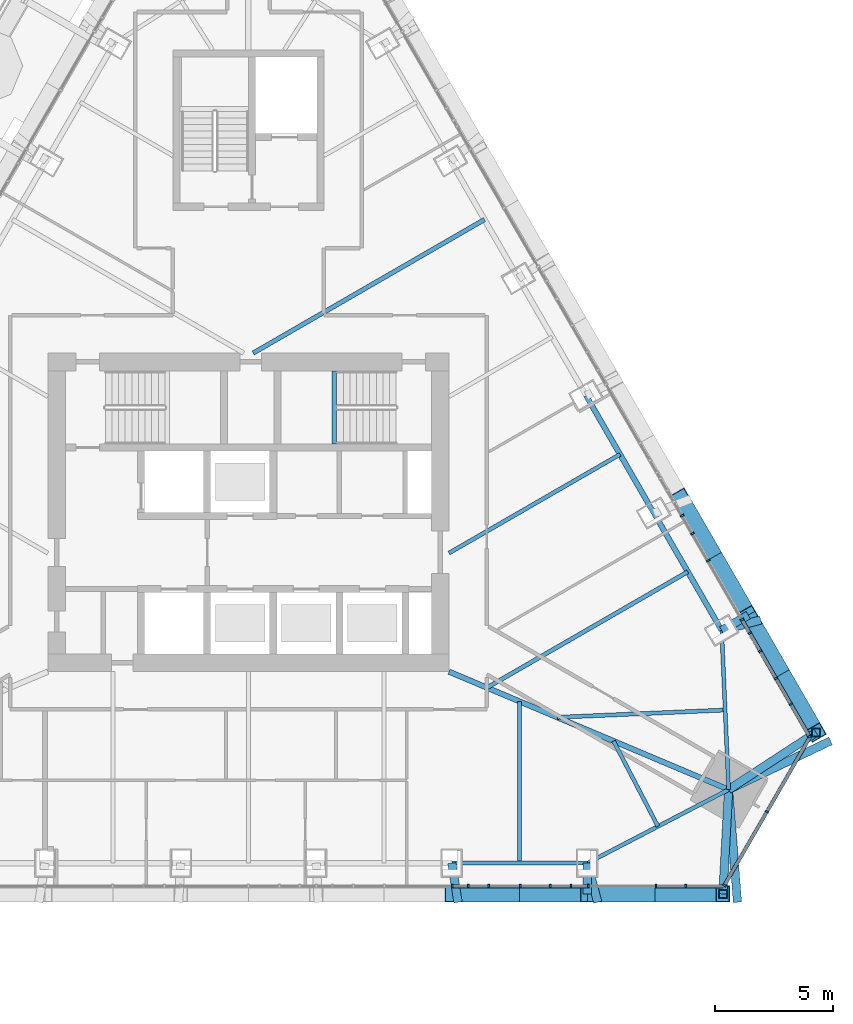
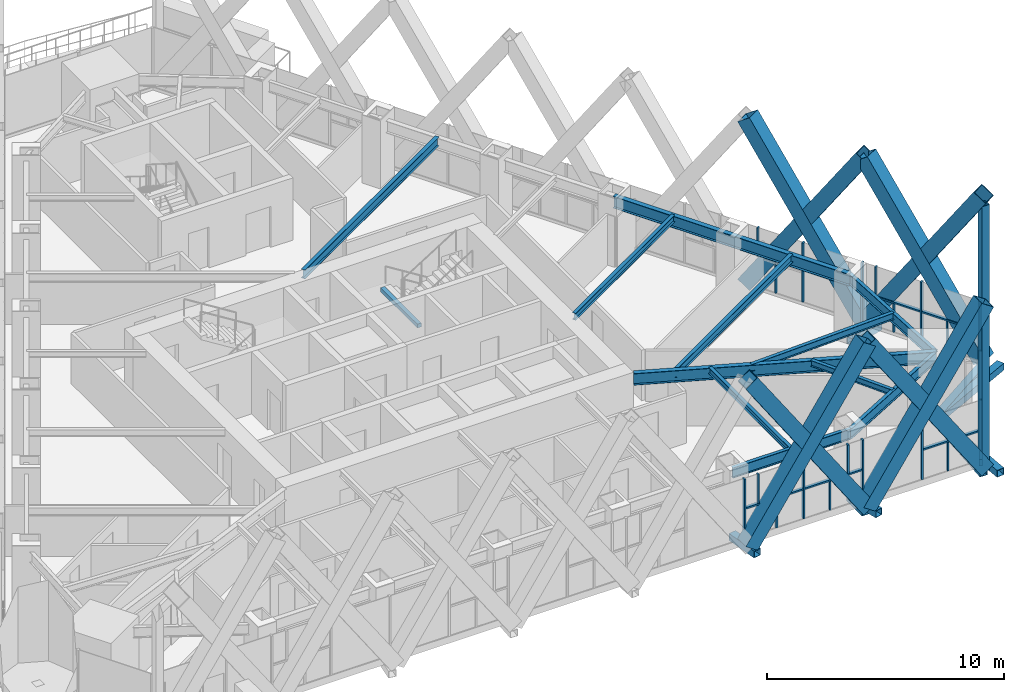
# One storey, part 5 of 24: 45 members, 12 beams, 3 elements without a shape of their own.
"""IFC4 building model written with IfcOpenShell, lengths in metres."""

from ifc_helpers import new_model, si_unit, direction, frame, origin, origin_2d, place, context, subcontext, project, spatial, rectangle, hollow_rectangle, i_section, extrude, material, layer, layer_set, material_profile, profile_set, type_object, element, aggregate, save


model = new_model("IFC4")

# Units and contexts
model_context = context("Model", 3, precision=1e-05, world=origin(), true_north=direction((0.0, 1.0)))
body_context = subcontext(model_context, "Body", "Model", "MODEL_VIEW")
ifc_project = project(units=[si_unit("LENGTHUNIT", "METRE"), si_unit("AREAUNIT", "SQUARE_METRE"), si_unit("VOLUMEUNIT", "CUBIC_METRE"), si_unit("PLANEANGLEUNIT", "RADIAN"), si_unit("MASSUNIT", "GRAM", prefix="KILO")], contexts=[model_context])

# Site, building, storey
site_placement = place(None, origin())
site = spatial("IfcSite", under=ifc_project, at=site_placement, CompositionType="ELEMENT")
building_placement = place(site_placement, origin())
building = spatial("IfcBuilding", under=site, at=building_placement, Name="Firuza Gate Tower and Library", CompositionType="ELEMENT")
storey_placement = place(building_placement, frame((0.0, 0.0, 323.10009765625)))
storey = spatial("IfcBuildingStorey", under=building, at=storey_placement, Name="L79", CompositionType="ELEMENT", Elevation=323.10009765625)

# Members
ifc_material_1 = material(Name="Steel S355", Category="steel")
ifc_material_profile_1 = material_profile(ifc_material_1, hollow_rectangle(XDim=0.699951171875, YDim=0.699951171875, WallThickness=0.030029296875, at=origin_2d()))
ifc_profile_set_1 = profile_set([ifc_material_profile_1], Name="Steel S355")
member_type_1 = type_object("IfcMemberType", Name="BU700x700x30 Lattice brace", PredefinedType="BRACE", material=ifc_profile_set_1)
for number, where, z_axis, x_axis, name in (
    (1, (83.615966796875, 58.8359375, 0.0), (0.559917465542, 0.0, 0.828548388316), (0.0, 1.0, 0.0), "Lattice brace S 21.6R"),
    (2, (89.360107421875, 58.8359375, 0.0), (-0.559917465542, 0.0, 0.828548388316), (0.0, -1.0, 0.0), "Lattice brace S 21.6L"),
    (3, (89.360107421875, 58.8359375, 0.0), (0.559901128123, 0.0, 0.828559428603), (0.0, 1.0, 0.0), "Lattice brace S 21.7R"),
    (4, (95.10400390625, 58.8359375, 0.0), (-0.559901128123, 0.0, 0.828559428603), (0.0, -1.0, 0.0), "Lattice brace S 21.7L"),
    (5, (99.05029296875, 65.67138671875, 0.0), (-0.279939531792, 0.484890585756, 0.828561994292), (-0.866034822164, -0.499983686533, 0.0), "Lattice brace E 21.1R"),
    (6, (96.178466796875, 70.645751953125, 0.0), (0.279939531792, -0.484890585756, 0.828561994292), (0.866034822164, 0.499983686533, 0.0), "Lattice brace E 21.1L"),
):
    element("IfcMember", number, at=place(storey_placement, frame(where, z_axis=z_axis, x_axis=x_axis)), inside=storey, type_object=member_type_1, Name=name, PredefinedType="BRACE", context=body_context, shape_type="SweptSolid", body=[
        extrude(hollow_rectangle(XDim=0.699951171875, YDim=0.699951171875, WallThickness=0.030029296875, at=origin_2d()), origin(), (0.0, 0.0, 1.0), 10.2587890625),
    ])
for number, where, z_axis, x_axis, name in (
    (7, (96.178466796875, 70.645751953125, 0.0), (-0.279958234284, 0.484905557785, 0.828546913027), (-0.866027043304, -0.499997160258, 0.0), "Lattice brace E 21.2R"),
    (8, (93.306396484375, 75.620361328125, 0.0), (0.279958234284, -0.484905557785, 0.828546913027), (0.866027043304, 0.499997160258, 0.0), "Lattice brace E 21.2L"),
):
    element("IfcMember", number, at=place(storey_placement, frame(where, z_axis=z_axis, x_axis=x_axis)), inside=storey, type_object=member_type_1, Name=name, PredefinedType="BRACE", context=body_context, shape_type="SweptSolid", body=[
        extrude(hollow_rectangle(XDim=0.699951171875, YDim=0.699951171875, WallThickness=0.030029296875, at=origin_2d()), origin(), (0.0, 0.0, 1.0), 10.259033203125),
    ])

# Curtain wall, members
ifc_material_2 = material(Name="Aluminium 6063-T6", Category="aluminium")
ifc_layer_1 = layer(ifc_material_2, 0.14990234375)
ifc_layer_set_1 = layer_set([ifc_layer_1], Name="Unitised curtain wall, residences")
curtain_wall_type_1 = type_object("IfcCurtainWallType", Name="Unitised curtain wall, residences", PredefinedType="NOTDEFINED", material=ifc_layer_set_1)
placement = place(storey_placement, origin())
curtain_wall_1 = element("IfcCurtainWall", 9, at=placement, inside=storey, type_object=curtain_wall_type_1, Name="CW3 L79 S face", PredefinedType="NOTDEFINED")
ifc_material_3 = material(Name="Aluminium 6063-T6", Category="aluminium")
ifc_material_profile_2 = material_profile(ifc_material_3, rectangle(XDim=0.14990234375, YDim=0.080078125, at=origin_2d()))
ifc_profile_set_2 = profile_set([ifc_material_profile_2], Name="Aluminium 6063-T6")
member_type_2 = type_object("IfcMemberType", Name="Curtain wall mullion 80x150", PredefinedType="MULLION", material=ifc_profile_set_2)
member_1_placement = place(storey_placement, frame((83.634521484375, 59.1611328125, 0.14990234375), z_axis=(0.0, 0.0, 1.0), x_axis=(0.0, 1.0, 0.0)))
member_1 = element("IfcMember", 10, at=member_1_placement, type_object=member_type_2, Name="Mullion", PredefinedType="MULLION", context=body_context, shape_type="SweptSolid", body=[
    extrude(rectangle(XDim=0.14990234375, YDim=0.080078125, at=origin_2d()), origin(), (0.0, 0.0, 1.0), 3.050048828125),
])
member_2_placement = place(storey_placement, frame((86.5126953125, 59.1611328125, 0.14990234375), z_axis=(0.0, 0.0, 1.0), x_axis=(0.0, 1.0, 0.0)))
member_2 = element("IfcMember", 11, at=member_2_placement, type_object=member_type_2, Name="Mullion", PredefinedType="MULLION", context=body_context, shape_type="SweptSolid", body=[
    extrude(rectangle(XDim=0.14990234375, YDim=0.080078125, at=origin_2d()), origin(), (0.0, 0.0, 1.0), 3.050048828125),
])
member_3_placement = place(storey_placement, frame((89.390869140625, 59.1611328125, 0.14990234375), z_axis=(0.0, 0.0, 1.0), x_axis=(0.0, 1.0, 0.0)))
member_3 = element("IfcMember", 12, at=member_3_placement, type_object=member_type_2, Name="Mullion", PredefinedType="MULLION", context=body_context, shape_type="SweptSolid", body=[
    extrude(rectangle(XDim=0.14990234375, YDim=0.080078125, at=origin_2d()), origin(), (0.0, 0.0, 1.0), 3.050048828125),
])
member_4_placement = place(storey_placement, frame((92.26904296875, 59.1611328125, 0.14990234375), z_axis=(0.0, 0.0, 1.0), x_axis=(0.0, 1.0, 0.0)))
member_4 = element("IfcMember", 13, at=member_4_placement, type_object=member_type_2, Name="Mullion", PredefinedType="MULLION", context=body_context, shape_type="SweptSolid", body=[
    extrude(rectangle(XDim=0.14990234375, YDim=0.080078125, at=origin_2d()), origin(), (0.0, 0.0, 1.0), 3.050048828125),
])
member_5_placement = place(storey_placement, frame((85.188232421875, 59.1611328125, 0.14990234375), z_axis=(0.0, 0.0, 1.0), x_axis=(0.0, 1.0, 0.0)))
member_5 = element("IfcMember", 14, at=member_5_placement, type_object=member_type_2, Name="Mullion", PredefinedType="MULLION", context=body_context, shape_type="SweptSolid", body=[
    extrude(rectangle(XDim=0.14990234375, YDim=0.080078125, at=origin_2d()), origin(), (0.0, 0.0, 1.0), 1.485107421875),
])
member_6_placement = place(storey_placement, frame((84.3076171875, 59.1611328125, 1.71484375), z_axis=(0.0, 0.0, 1.0), x_axis=(0.0, 1.0, 0.0)))
member_6 = element("IfcMember", 15, at=member_6_placement, type_object=member_type_2, Name="Mullion", PredefinedType="MULLION", context=body_context, shape_type="SweptSolid", body=[
    extrude(rectangle(XDim=0.14990234375, YDim=0.080078125, at=origin_2d()), origin(), (0.0, 0.0, 1.0), 1.485107421875),
])
member_7_placement = place(storey_placement, frame((87.78759765625, 59.1611328125, 0.14990234375), z_axis=(0.0, 0.0, 1.0), x_axis=(0.0, 1.0, 0.0)))
member_7 = element("IfcMember", 16, at=member_7_placement, type_object=member_type_2, Name="Mullion", PredefinedType="MULLION", context=body_context, shape_type="SweptSolid", body=[
    extrude(rectangle(XDim=0.14990234375, YDim=0.080078125, at=origin_2d()), origin(), (0.0, 0.0, 1.0), 1.485107421875),
])
member_8_placement = place(storey_placement, frame((88.66845703125, 59.1611328125, 1.71484375), z_axis=(0.0, 0.0, 1.0), x_axis=(0.0, 1.0, 0.0)))
member_8 = element("IfcMember", 17, at=member_8_placement, type_object=member_type_2, Name="Mullion", PredefinedType="MULLION", context=body_context, shape_type="SweptSolid", body=[
    extrude(rectangle(XDim=0.14990234375, YDim=0.080078125, at=origin_2d()), origin(), (0.0, 0.0, 1.0), 1.485107421875),
])
member_9_placement = place(storey_placement, frame((93.53173828125, 59.1611328125, 0.14990234375), z_axis=(0.0, 0.0, 1.0), x_axis=(0.0, 1.0, 0.0)))
member_9 = element("IfcMember", 18, at=member_9_placement, type_object=member_type_2, Name="Mullion", PredefinedType="MULLION", context=body_context, shape_type="SweptSolid", body=[
    extrude(rectangle(XDim=0.14990234375, YDim=0.080078125, at=origin_2d()), origin(), (0.0, 0.0, 1.0), 1.485107421875),
])

ifc_material_4 = material(Name="Aluminium 6063-T6", Category="aluminium")
ifc_layer_2 = layer(ifc_material_4, 0.14990234375)
ifc_layer_set_2 = layer_set([ifc_layer_2], Name="Corner curtain wall, chamfers")
curtain_wall_type_2 = type_object("IfcCurtainWallType", Name="Corner curtain wall, chamfers", PredefinedType="NOTDEFINED", material=ifc_layer_set_2)
curtain_wall_2 = element("IfcCurtainWall", 19, at=placement, inside=storey, type_object=curtain_wall_type_2, Name="CW4 L79 SE corner", PredefinedType="NOTDEFINED")
member_10_placement = place(storey_placement, frame((95.167236328125, 59.195556640625, 0.14990234375), z_axis=(0.0, 0.0, 1.0), x_axis=(-0.866025403784, 0.5, 0.0)))
member_10 = element("IfcMember", 20, at=member_10_placement, type_object=member_type_2, Name="Mullion", PredefinedType="MULLION", context=body_context, shape_type="SweptSolid", body=[
    extrude(rectangle(XDim=0.14990234375, YDim=0.080078125, at=origin_2d()), origin(), (0.0, 0.0, 1.0), 3.050048828125),
])
member_11_placement = place(storey_placement, frame((96.968994140625, 62.316162109375, 0.14990234375), z_axis=(0.0, 0.0, 1.0), x_axis=(-0.866025403784, 0.5, 0.0)))
member_11 = element("IfcMember", 21, at=member_11_placement, type_object=member_type_2, Name="Mullion", PredefinedType="MULLION", context=body_context, shape_type="SweptSolid", body=[
    extrude(rectangle(XDim=0.14990234375, YDim=0.080078125, at=origin_2d()), origin(), (0.0, 0.0, 1.0), 3.050048828125),
])

curtain_wall_3 = element("IfcCurtainWall", 22, at=placement, inside=storey, type_object=curtain_wall_type_1, Name="CW3 L79 E face", PredefinedType="NOTDEFINED")
member_12_placement = place(storey_placement, frame((98.7705078125, 65.506103515625, 0.14990234375), z_axis=(0.0, 0.0, 1.0), x_axis=(-0.866025403784, -0.5, 0.0)))
member_12 = element("IfcMember", 23, at=member_12_placement, type_object=member_type_2, Name="Mullion", PredefinedType="MULLION", context=body_context, shape_type="SweptSolid", body=[
    extrude(rectangle(XDim=0.14990234375, YDim=0.080078125, at=origin_2d()), origin(), (0.0, 0.0, 1.0), 3.050048828125),
])
member_13_placement = place(storey_placement, frame((97.3515625, 67.964111328125, 0.14990234375), z_axis=(0.0, 0.0, 1.0), x_axis=(-0.866025403784, -0.5, 0.0)))
member_13 = element("IfcMember", 24, at=member_13_placement, type_object=member_type_2, Name="Mullion", PredefinedType="MULLION", context=body_context, shape_type="SweptSolid", body=[
    extrude(rectangle(XDim=0.14990234375, YDim=0.080078125, at=origin_2d()), origin(), (0.0, 0.0, 1.0), 3.050048828125),
])
member_14_placement = place(storey_placement, frame((95.912353515625, 70.45654296875, 0.14990234375), z_axis=(0.0, 0.0, 1.0), x_axis=(-0.866025403784, -0.5, 0.0)))
member_14 = element("IfcMember", 25, at=member_14_placement, type_object=member_type_2, Name="Mullion", PredefinedType="MULLION", context=body_context, shape_type="SweptSolid", body=[
    extrude(rectangle(XDim=0.14990234375, YDim=0.080078125, at=origin_2d()), origin(), (0.0, 0.0, 1.0), 3.050048828125),
])
member_15_placement = place(storey_placement, frame((94.473388671875, 72.94921875, 0.14990234375), z_axis=(0.0, 0.0, 1.0), x_axis=(-0.866025403784, -0.5, 0.0)))
member_15 = element("IfcMember", 26, at=member_15_placement, type_object=member_type_2, Name="Mullion", PredefinedType="MULLION", context=body_context, shape_type="SweptSolid", body=[
    extrude(rectangle(XDim=0.14990234375, YDim=0.080078125, at=origin_2d()), origin(), (0.0, 0.0, 1.0), 3.050048828125),
])
member_16_placement = place(storey_placement, frame((97.98291015625, 66.87060546875, 0.14990234375), z_axis=(0.0, 0.0, 1.0), x_axis=(-0.866025403784, -0.5, 0.0)))
member_16 = element("IfcMember", 27, at=member_16_placement, type_object=member_type_2, Name="Mullion", PredefinedType="MULLION", context=body_context, shape_type="SweptSolid", body=[
    extrude(rectangle(XDim=0.14990234375, YDim=0.080078125, at=origin_2d()), origin(), (0.0, 0.0, 1.0), 1.485107421875),
])
member_17_placement = place(storey_placement, frame((96.68310546875, 69.121826171875, 0.14990234375), z_axis=(0.0, 0.0, 1.0), x_axis=(-0.866025403784, -0.5, 0.0)))
member_17 = element("IfcMember", 28, at=member_17_placement, type_object=member_type_2, Name="Mullion", PredefinedType="MULLION", context=body_context, shape_type="SweptSolid", body=[
    extrude(rectangle(XDim=0.14990234375, YDim=0.080078125, at=origin_2d()), origin(), (0.0, 0.0, 1.0), 1.485107421875),
])
member_18_placement = place(storey_placement, frame((96.24267578125, 69.884521484375, 1.71484375), z_axis=(0.0, 0.0, 1.0), x_axis=(-0.866025403784, -0.5, 0.0)))
member_18 = element("IfcMember", 29, at=member_18_placement, type_object=member_type_2, Name="Mullion", PredefinedType="MULLION", context=body_context, shape_type="SweptSolid", body=[
    extrude(rectangle(XDim=0.14990234375, YDim=0.080078125, at=origin_2d()), origin(), (0.0, 0.0, 1.0), 1.485107421875),
])
member_19_placement = place(storey_placement, frame((93.81103515625, 74.09619140625, 0.14990234375), z_axis=(0.0, 0.0, 1.0), x_axis=(-0.866025403784, -0.5, 0.0)))
member_19 = element("IfcMember", 30, at=member_19_placement, type_object=member_type_2, Name="Mullion", PredefinedType="MULLION", context=body_context, shape_type="SweptSolid", body=[
    extrude(rectangle(XDim=0.14990234375, YDim=0.080078125, at=origin_2d()), origin(), (0.0, 0.0, 1.0), 1.485107421875),
])
member_20_placement = place(storey_placement, frame((93.37060546875, 74.85888671875, 1.71484375), z_axis=(0.0, 0.0, 1.0), x_axis=(-0.866025403784, -0.5, 0.0)))
member_20 = element("IfcMember", 31, at=member_20_placement, type_object=member_type_2, Name="Mullion", PredefinedType="MULLION", context=body_context, shape_type="SweptSolid", body=[
    extrude(rectangle(XDim=0.14990234375, YDim=0.080078125, at=origin_2d()), origin(), (0.0, 0.0, 1.0), 1.485107421875),
])

# Member
ifc_material_5 = material(Name="Aluminium 6063-T6", Category="aluminium")
ifc_material_profile_3 = material_profile(ifc_material_5, rectangle(XDim=0.14990234375, YDim=0.35009765625, at=origin_2d()))
ifc_profile_set_3 = profile_set([ifc_material_profile_3], Name="Aluminium 6063-T6")
member_type_3 = type_object("IfcMemberType", Name="Curtain wall transom 350x150", PredefinedType="USERDEFINED", material=ifc_profile_set_3)
member_21_placement = place(storey_placement, frame((95.147216796875, 59.1611328125, -0.025146484375), z_axis=(0.500005719219, 0.866022101766, 0.0), x_axis=(-0.866022101766, 0.500005719219, 0.0)))
member_21 = element("IfcMember", 32, at=member_21_placement, type_object=member_type_3, Name="Transom", ObjectType="TRANSOM", PredefinedType="USERDEFINED", context=body_context, shape_type="SweptSolid", body=[
    extrude(rectangle(XDim=0.14990234375, YDim=0.35009765625, at=origin_2d()), origin(), (0.0, 0.0, 1.0), 7.28662109375),
])

aggregate(curtain_wall_2, [member_10, member_11, member_21])

ifc_material_6 = material(Name="Aluminium 6063-T6", Category="aluminium")
ifc_material_profile_4 = material_profile(ifc_material_6, rectangle(XDim=0.14990234375, YDim=0.080078125, at=origin_2d()))
ifc_profile_set_4 = profile_set([ifc_material_profile_4], Name="Aluminium 6063-T6")
member_type_4 = type_object("IfcMemberType", Name="Curtain wall transom 80x150", PredefinedType="USERDEFINED", material=ifc_profile_set_4)
member_22_placement = place(storey_placement, frame((83.674560546875, 59.1611328125, 1.6748046875), z_axis=(1.0, 0.0, 0.0), x_axis=(0.0, 1.0, 0.0)))
member_22 = element("IfcMember", 33, at=member_22_placement, type_object=member_type_4, Name="Transom", ObjectType="TRANSOM", PredefinedType="USERDEFINED", context=body_context, shape_type="SweptSolid", body=[
    extrude(rectangle(XDim=0.14990234375, YDim=0.080078125, at=origin_2d()), origin(), (0.0, 0.0, 1.0), 2.798095703125),
])

member_23_placement = place(storey_placement, frame((86.552734375, 59.1611328125, 1.6748046875), z_axis=(1.0, 0.0, 0.0), x_axis=(0.0, 1.0, 0.0)))
member_23 = element("IfcMember", 34, at=member_23_placement, type_object=member_type_4, Name="Transom", ObjectType="TRANSOM", PredefinedType="USERDEFINED", context=body_context, shape_type="SweptSolid", body=[
    extrude(rectangle(XDim=0.14990234375, YDim=0.080078125, at=origin_2d()), origin(), (0.0, 0.0, 1.0), 2.798095703125),
])

member_24_placement = place(storey_placement, frame((92.30908203125, 59.1611328125, 1.6748046875), z_axis=(1.0, 0.0, 0.0), x_axis=(0.0, 1.0, 0.0)))
member_24 = element("IfcMember", 35, at=member_24_placement, type_object=member_type_4, Name="Transom", ObjectType="TRANSOM", PredefinedType="USERDEFINED", context=body_context, shape_type="SweptSolid", body=[
    extrude(rectangle(XDim=0.14990234375, YDim=0.080078125, at=origin_2d()), origin(), (0.0, 0.0, 1.0), 2.79833984375),
])

aggregate(curtain_wall_1, [member_1, member_2, member_3, member_4, member_5, member_6, member_22, member_7, member_8, member_23, member_9, member_24])

member_25_placement = place(storey_placement, frame((98.7705078125, 65.506103515625, 1.6748046875), z_axis=(-0.499949037577, 0.866054824954, 0.0), x_axis=(-0.866054824954, -0.499949037577, 0.0)))
member_25 = element("IfcMember", 36, at=member_25_placement, type_object=member_type_4, Name="Transom", ObjectType="TRANSOM", PredefinedType="USERDEFINED", context=body_context, shape_type="SweptSolid", body=[
    extrude(rectangle(XDim=0.14990234375, YDim=0.080078125, at=origin_2d()), origin(), (0.0, 0.0, 1.0), 2.798095703125),
])

member_26_placement = place(storey_placement, frame((97.33154296875, 67.99853515625, 1.6748046875), z_axis=(-0.500014476097, 0.866017045845, 0.0), x_axis=(-0.866017045845, -0.500014476097, 0.0)))
member_26 = element("IfcMember", 37, at=member_26_placement, type_object=member_type_4, Name="Transom", ObjectType="TRANSOM", PredefinedType="USERDEFINED", context=body_context, shape_type="SweptSolid", body=[
    extrude(rectangle(XDim=0.14990234375, YDim=0.080078125, at=origin_2d()), origin(), (0.0, 0.0, 1.0), 2.79833984375),
])

aggregate(curtain_wall_3, [member_12, member_13, member_14, member_15, member_16, member_25, member_17, member_18, member_26, member_19, member_20])

# Members
ifc_material_7 = material(Name="Steel S355", Category="steel")
ifc_material_profile_5 = material_profile(ifc_material_7, hollow_rectangle(XDim=0.355712890625, YDim=0.355712890625, WallThickness=0.014892578125, at=origin_2d()))
ifc_profile_set_5 = profile_set([ifc_material_profile_5], Name="Steel S355")
member_type_5 = type_object("IfcMemberType", Name="HSS356x356x16 Lattice corner stile", PredefinedType="BRACE", material=ifc_profile_set_5)
for number, where, z_axis, x_axis, name in (
    (38, (95.10400390625, 58.8359375, -0.14013671875), (0.0, 0.0, 1.0), (1.0, 0.0, 0.0), "Lattice corner stile S 21.B"),
    (39, (99.05029296875, 65.67138671875, -0.14013671875), (0.0, 0.0, 1.0), (1.0, 0.0, 0.0), "Lattice corner stile E 21.A"),
):
    element("IfcMember", number, at=place(storey_placement, frame(where, z_axis=z_axis, x_axis=x_axis)), inside=storey, type_object=member_type_5, Name=name, PredefinedType="BRACE", context=body_context, shape_type="SweptSolid", body=[
        extrude(hollow_rectangle(XDim=0.355712890625, YDim=0.355712890625, WallThickness=0.014892578125, at=origin_2d()), origin(), (0.0, 0.0, 1.0), 8.14013671875),
    ])
ifc_material_8 = material(Name="Steel S355", Category="steel")
ifc_material_profile_6 = material_profile(ifc_material_8, hollow_rectangle(XDim=0.355712890625, YDim=0.355712890625, WallThickness=0.014892578125, at=origin_2d()))
ifc_profile_set_6 = profile_set([ifc_material_profile_6], Name="Steel S355")
member_type_6 = type_object("IfcMemberType", Name="HSS356x356x16 Lattice node tie", PredefinedType="BRACE", material=ifc_profile_set_6)
member_27_placement = place(storey_placement, frame((95.052490234375, 69.995849609375, -0.320068359375), z_axis=(0.965392491391, 0.260801337355, 0.0), x_axis=(-0.260801337355, 0.965392491391, 0.0)))
element("IfcMember", 40, at=member_27_placement, inside=storey, type_object=member_type_6, Name="Lattice node tie E L79 573", PredefinedType="BRACE", context=body_context, shape_type="SweptSolid", body=[
    extrude(hollow_rectangle(XDim=0.355712890625, YDim=0.355712890625, WallThickness=0.014892578125, at=origin_2d()), origin(), (0.0, 0.0, 1.0), 1.713134765625),
])
member_28_placement = place(storey_placement, frame((95.052490234375, 69.995849609375, -0.320068359375), z_axis=(0.866085525409, 0.49989585183, 0.0), x_axis=(-0.49989585183, 0.866085525409, 0.0)))
element("IfcMember", 41, at=member_28_placement, inside=storey, type_object=member_type_6, Name="Lattice node tie E L79 574", PredefinedType="BRACE", context=body_context, shape_type="SweptSolid", body=[
    extrude(hollow_rectangle(XDim=0.355712890625, YDim=0.355712890625, WallThickness=0.014892578125, at=origin_2d()), origin(), (0.0, 0.0, 1.0), 1.300048828125),
])
member_29_placement = place(storey_placement, frame((95.34521484375, 63.253662109375, -0.320068359375), z_axis=(0.902515271089, 0.430657851956, 0.0), x_axis=(-0.430657851956, 0.902515271089, 0.0)))
element("IfcMember", 42, at=member_29_placement, inside=storey, type_object=member_type_6, Name="Lattice node tie E L79 575", PredefinedType="BRACE", context=body_context, shape_type="SweptSolid", body=[
    extrude(hollow_rectangle(XDim=0.355712890625, YDim=0.355712890625, WallThickness=0.014892578125, at=origin_2d()), origin(), (0.0, 0.0, 1.0), 4.7880859375),
])
member_30_placement = place(storey_placement, frame((95.34521484375, 63.253662109375, -0.320068359375), z_axis=(0.837468949855, 0.546484911071, 0.0), x_axis=(-0.546484911071, 0.837468949855, 0.0)))
element("IfcMember", 43, at=member_30_placement, inside=storey, type_object=member_type_6, Name="Lattice node tie E L79 576", PredefinedType="BRACE", context=body_context, shape_type="SweptSolid", body=[
    extrude(hollow_rectangle(XDim=0.355712890625, YDim=0.355712890625, WallThickness=0.014892578125, at=origin_2d()), origin(), (0.0, 0.0, 1.0), 4.424072265625),
])
member_31_placement = place(storey_placement, frame((83.615966796875, 60.135986328125, -0.320068359375), z_axis=(0.157428167931, -0.98753044102, 0.0), x_axis=(0.98753044102, 0.157428167931, 0.0)))
element("IfcMember", 44, at=member_31_placement, inside=storey, type_object=member_type_6, Name="Lattice node tie S L79 584", PredefinedType="BRACE", context=body_context, shape_type="SweptSolid", body=[
    extrude(hollow_rectangle(XDim=0.355712890625, YDim=0.355712890625, WallThickness=0.014892578125, at=origin_2d()), origin(), (0.0, 0.0, 1.0), 1.676513671875),
])
member_32_placement = place(storey_placement, frame((89.360107421875, 60.135986328125, -0.320068359375), z_axis=(0.25682869904, -0.966456941281, 0.0), x_axis=(0.966456941281, 0.25682869904, 0.0)))
element("IfcMember", 45, at=member_32_placement, inside=storey, type_object=member_type_6, Name="Lattice node tie S L79 585", PredefinedType="BRACE", context=body_context, shape_type="SweptSolid", body=[
    extrude(hollow_rectangle(XDim=0.355712890625, YDim=0.355712890625, WallThickness=0.014892578125, at=origin_2d()), origin(), (0.0, 0.0, 1.0), 1.712890625),
])
member_33_placement = place(storey_placement, frame((89.360107421875, 60.135986328125, -0.320068359375), z_axis=(0.0, -1.0, 0.0), x_axis=(1.0, 0.0, 0.0)))
element("IfcMember", 46, at=member_33_placement, inside=storey, type_object=member_type_6, Name="Lattice node tie S L79 586", PredefinedType="BRACE", context=body_context, shape_type="SweptSolid", body=[
    extrude(hollow_rectangle(XDim=0.355712890625, YDim=0.355712890625, WallThickness=0.014892578125, at=origin_2d()), origin(), (0.0, 0.0, 1.0), 1.300048828125),
])
member_34_placement = place(storey_placement, frame((95.34521484375, 63.253662109375, -0.320068359375), z_axis=(0.0782717362, -0.996932061533, 0.0), x_axis=(0.996932061533, 0.0782717362, 0.0)))
element("IfcMember", 47, at=member_34_placement, inside=storey, type_object=member_type_6, Name="Lattice node tie S L79 587", PredefinedType="BRACE", context=body_context, shape_type="SweptSolid", body=[
    extrude(hollow_rectangle(XDim=0.355712890625, YDim=0.355712890625, WallThickness=0.014892578125, at=origin_2d()), origin(), (0.0, 0.0, 1.0), 4.787841796875),
])
member_35_placement = place(storey_placement, frame((95.34521484375, 63.253662109375, -0.320068359375), z_axis=(-0.054519511079, -0.998512705433, 0.0), x_axis=(0.998512705433, -0.054519511079, 0.0)))
element("IfcMember", 48, at=member_35_placement, inside=storey, type_object=member_type_6, Name="Lattice node tie S L79 588", PredefinedType="BRACE", context=body_context, shape_type="SweptSolid", body=[
    extrude(hollow_rectangle(XDim=0.355712890625, YDim=0.355712890625, WallThickness=0.014892578125, at=origin_2d()), origin(), (0.0, 0.0, 1.0), 4.42431640625),
])

# Beams
ifc_material_9 = material(Name="Concrete C35/45", Category="concrete")
ifc_material_profile_7 = material_profile(ifc_material_9, rectangle(XDim=0.199951171875, YDim=0.199951171875, at=origin_2d()))
ifc_profile_set_7 = profile_set([ifc_material_profile_7], Name="Concrete C35/45")
beam_type_1 = type_object("IfcBeamType", Name="Stair landing bearer 200x200", PredefinedType="BEAM", material=ifc_profile_set_7)
beam_1_placement = place(storey_placement, frame((78.639892578125, 81.0, 1.449951171875), z_axis=(0.0, -1.0, 0.0), x_axis=(1.0, 0.0, 0.0)))
element("IfcBeam", 49, at=beam_1_placement, inside=storey, type_object=beam_type_1, Name="Landing bearer L79 stair 2", PredefinedType="BEAM", context=body_context, shape_type="SweptSolid", body=[
    extrude(rectangle(XDim=0.199951171875, YDim=0.199951171875, at=origin_2d()), origin(), (0.0, 0.0, 1.0), 3.10009765625),
])
ifc_material_10 = material(Name="Steel S355", Category="steel")
ifc_material_profile_8 = material_profile(ifc_material_10, i_section(OverallWidth=0.1650390625, OverallDepth=0.31005859375, WebThickness=0.005859375, FlangeThickness=0.009765625, at=origin_2d()))
ifc_profile_set_8 = profile_set([ifc_material_profile_8], Name="Steel S355")
beam_type_2 = type_object("IfcBeamType", Name="W310x39 Floor beam", PredefinedType="JOIST", material=ifc_profile_set_8)
beam_2_placement = place(storey_placement, frame((86.488037109375, 60.135986328125, 3.044921875), z_axis=(0.0, 1.0, 0.0), x_axis=(-1.0, 0.0, 0.0)))
element("IfcBeam", 50, at=beam_2_placement, inside=storey, type_object=beam_type_2, Name="Floor beam L79 s24", PredefinedType="JOIST", context=body_context, shape_type="SweptSolid", body=[
    extrude(i_section(OverallWidth=0.1650390625, OverallDepth=0.31005859375, WebThickness=0.005859375, FlangeThickness=0.009765625, at=origin_2d()), origin(), (0.0, 0.0, 1.0), 6.853759765625),
])
beam_3_placement = place(storey_placement, frame((92.3525390625, 61.69482421875, 3.044921875), z_axis=(-0.461980546122, 0.886890058014, 0.0), x_axis=(-0.886890058014, -0.461980546122, 0.0)))
element("IfcBeam", 51, at=beam_3_placement, inside=storey, type_object=beam_type_2, Name="Floor beam L79 s30", PredefinedType="JOIST", context=body_context, shape_type="SweptSolid", body=[
    extrude(i_section(OverallWidth=0.1650390625, OverallDepth=0.31005859375, WebThickness=0.005859375, FlangeThickness=0.009765625, at=origin_2d()), origin(), (0.0, 0.0, 1.0), 4.07666015625),
])
ifc_material_11 = material(Name="Steel S355", Category="steel")
ifc_material_profile_9 = material_profile(ifc_material_11, i_section(OverallWidth=0.1708984375, OverallDepth=0.35498046875, WebThickness=0.007080078125, FlangeThickness=0.01171875, at=origin_2d()))
ifc_profile_set_9 = profile_set([ifc_material_profile_9], Name="Steel S355")
beam_type_3 = type_object("IfcBeamType", Name="W360x51 Floor beam", PredefinedType="JOIST", material=ifc_profile_set_9)
beam_4_placement = place(storey_placement, frame((95.198974609375, 66.624755859375, 3.0224609375), z_axis=(-0.999060487653, -0.043337535825, 0.0), x_axis=(0.043337535825, -0.999060487653, 0.0)))
element("IfcBeam", 52, at=beam_4_placement, inside=storey, type_object=beam_type_3, Name="Floor beam L79 s40", PredefinedType="JOIST", context=body_context, shape_type="SweptSolid", body=[
    extrude(i_section(OverallWidth=0.1708984375, OverallDepth=0.35498046875, WebThickness=0.007080078125, FlangeThickness=0.01171875, at=origin_2d()), origin(), (0.0, 0.0, 1.0), 7.12060546875),
])
beam_5_placement = place(storey_placement, frame((90.74462890625, 77.45751953125, 3.0224609375), z_axis=(-0.866029092459, -0.499993610973, 0.0), x_axis=(0.499993610973, -0.866029092459, 0.0)))
element("IfcBeam", 53, at=beam_5_placement, inside=storey, type_object=beam_type_3, Name="Floor beam L79 s51", PredefinedType="JOIST", context=body_context, shape_type="SweptSolid", body=[
    extrude(i_section(OverallWidth=0.1708984375, OverallDepth=0.35498046875, WebThickness=0.007080078125, FlangeThickness=0.01171875, at=origin_2d()), origin(), (0.0, 0.0, 1.0), 8.365234375),
])
ifc_material_12 = material(Name="Steel S355", Category="steel")
ifc_material_profile_10 = material_profile(ifc_material_12, i_section(OverallWidth=0.177978515625, OverallDepth=0.406982421875, WebThickness=0.0078125, FlangeThickness=0.0126953125, at=origin_2d()))
ifc_profile_set_10 = profile_set([ifc_material_profile_10], Name="Steel S355")
beam_type_4 = type_object("IfcBeamType", Name="W410x60 Floor beam", PredefinedType="JOIST", material=ifc_profile_set_10)
beam_6_placement = place(storey_placement, frame((93.616455078125, 72.483154296875, 2.996337890625), z_axis=(-0.866018381575, -0.500012162627, 0.0), x_axis=(0.500012162627, -0.866018381575, 0.0)))
element("IfcBeam", 54, at=beam_6_placement, inside=storey, type_object=beam_type_4, Name="Floor beam L79 s50", PredefinedType="JOIST", context=body_context, shape_type="SweptSolid", body=[
    extrude(i_section(OverallWidth=0.177978515625, OverallDepth=0.406982421875, WebThickness=0.0078125, FlangeThickness=0.0126953125, at=origin_2d()), origin(), (0.0, 0.0, 1.0), 9.823486328125),
])
ifc_material_13 = material(Name="Steel S355", Category="steel")
ifc_material_profile_11 = material_profile(ifc_material_13, i_section(OverallWidth=0.18994140625, OverallDepth=0.45703125, WebThickness=0.009033203125, FlangeThickness=0.014404296875, at=origin_2d()))
ifc_profile_set_11 = profile_set([ifc_material_profile_11], Name="Steel S355")
beam_type_5 = type_object("IfcBeamType", Name="W460x74 Floor beam", PredefinedType="JOIST", material=ifc_profile_set_11)
beam_7_placement = place(storey_placement, frame((85.00048828125, 87.406494140625, 2.971435546875), z_axis=(-0.866020628101, -0.500008271636, 0.0), x_axis=(0.500008271636, -0.866020628101, 0.0)))
element("IfcBeam", 55, at=beam_7_placement, inside=storey, type_object=beam_type_5, Name="Floor beam L79 s53", PredefinedType="JOIST", context=body_context, shape_type="SweptSolid", body=[
    extrude(i_section(OverallWidth=0.18994140625, OverallDepth=0.45703125, WebThickness=0.009033203125, FlangeThickness=0.014404296875, at=origin_2d()), origin(), (0.0, 0.0, 1.0), 11.312744140625),
])
ifc_material_14 = material(Name="Steel S355", Category="steel")
ifc_material_profile_12 = material_profile(ifc_material_14, i_section(OverallWidth=0.166015625, OverallDepth=0.534912109375, WebThickness=0.01025390625, FlangeThickness=0.0166015625, at=origin_2d()))
ifc_profile_set_12 = profile_set([ifc_material_profile_12], Name="Steel S355")
beam_type_6 = type_object("IfcBeamType", Name="W530x85 Edge beam", PredefinedType="SPANDREL", material=ifc_profile_set_12)
beam_8_placement = place(storey_placement, frame((83.615966796875, 60.135986328125, 2.932373046875), z_axis=(1.0, 0.0, 0.0), x_axis=(0.0, 1.0, 0.0)))
element("IfcBeam", 56, at=beam_8_placement, inside=storey, type_object=beam_type_6, Name="Edge beam L79 e24", PredefinedType="SPANDREL", context=body_context, shape_type="SweptSolid", body=[
    extrude(i_section(OverallWidth=0.166015625, OverallDepth=0.534912109375, WebThickness=0.01025390625, FlangeThickness=0.0166015625, at=origin_2d()), origin(), (0.0, 0.0, 1.0), 5.744140625),
])
for number, where, z_axis, x_axis, name in (
    (57, (89.360107421875, 60.135986328125, 2.932373046875), (0.886887835935, 0.461984811947, 0.0), (-0.461984811947, 0.886887835935, 0.0), "Edge beam L79 e30"),
    (58, (95.34521484375, 63.253662109375, 2.932373046875), (-0.043375996648, 0.999058818546, 0.0), (-0.999058818546, -0.043375996648, 0.0), "Edge beam L79 e40"),
):
    element("IfcBeam", number, at=place(storey_placement, frame(where, z_axis=z_axis, x_axis=x_axis)), inside=storey, type_object=beam_type_6, Name=name, PredefinedType="SPANDREL", context=body_context, shape_type="SweptSolid", body=[
        extrude(i_section(OverallWidth=0.166015625, OverallDepth=0.534912109375, WebThickness=0.01025390625, FlangeThickness=0.0166015625, at=origin_2d()), origin(), (0.0, 0.0, 1.0), 6.74853515625),
    ])
ifc_material_15 = material(Name="Steel S355", Category="steel")
ifc_material_profile_13 = material_profile(ifc_material_15, i_section(OverallWidth=0.22802734375, OverallDepth=0.60302734375, WebThickness=0.010498046875, FlangeThickness=0.014892578125, at=origin_2d()))
ifc_profile_set_13 = profile_set([ifc_material_profile_13], Name="Steel S355")
beam_type_7 = type_object("IfcBeamType", Name="W610x101 Girder", PredefinedType="BEAM", material=ifc_profile_set_13)
beam_9_placement = place(storey_placement, frame((95.34521484375, 63.253662109375, 2.8984375), z_axis=(-0.921388175971, 0.388643576018, 0.0), x_axis=(-0.388643576018, -0.921388175971, 0.0)))
element("IfcBeam", 59, at=beam_9_placement, inside=storey, type_object=beam_type_7, Name="Girder L79 gSE", PredefinedType="BEAM", context=body_context, shape_type="SweptSolid", body=[
    extrude(i_section(OverallWidth=0.22802734375, OverallDepth=0.60302734375, WebThickness=0.010498046875, FlangeThickness=0.014892578125, at=origin_2d()), origin(), (0.0, 0.0, 1.0), 12.85595703125),
])
ifc_material_16 = material(Name="Steel S355", Category="steel")
ifc_material_profile_14 = material_profile(ifc_material_16, i_section(OverallWidth=0.22900390625, OverallDepth=0.612060546875, WebThickness=0.011962890625, FlangeThickness=0.01953125, at=origin_2d()))
ifc_profile_set_14 = profile_set([ifc_material_profile_14], Name="Steel S355")
beam_type_8 = type_object("IfcBeamType", Name="W610x125 Edge beam", PredefinedType="SPANDREL", material=ifc_profile_set_14)
beam_10_placement = place(storey_placement, frame((95.052490234375, 69.995849609375, 2.893798828125), z_axis=(-0.499990423607, 0.866030932647, 0.0), x_axis=(-0.866030932647, -0.499990423607, 0.0)))
element("IfcBeam", 60, at=beam_10_placement, inside=storey, type_object=beam_type_8, Name="Edge beam L79 e50", PredefinedType="SPANDREL", context=body_context, shape_type="SweptSolid", body=[
    extrude(i_section(OverallWidth=0.22900390625, OverallDepth=0.612060546875, WebThickness=0.011962890625, FlangeThickness=0.01953125, at=origin_2d()), origin(), (0.0, 0.0, 1.0), 11.488037109375),
])

save(model, "model.ifc")
